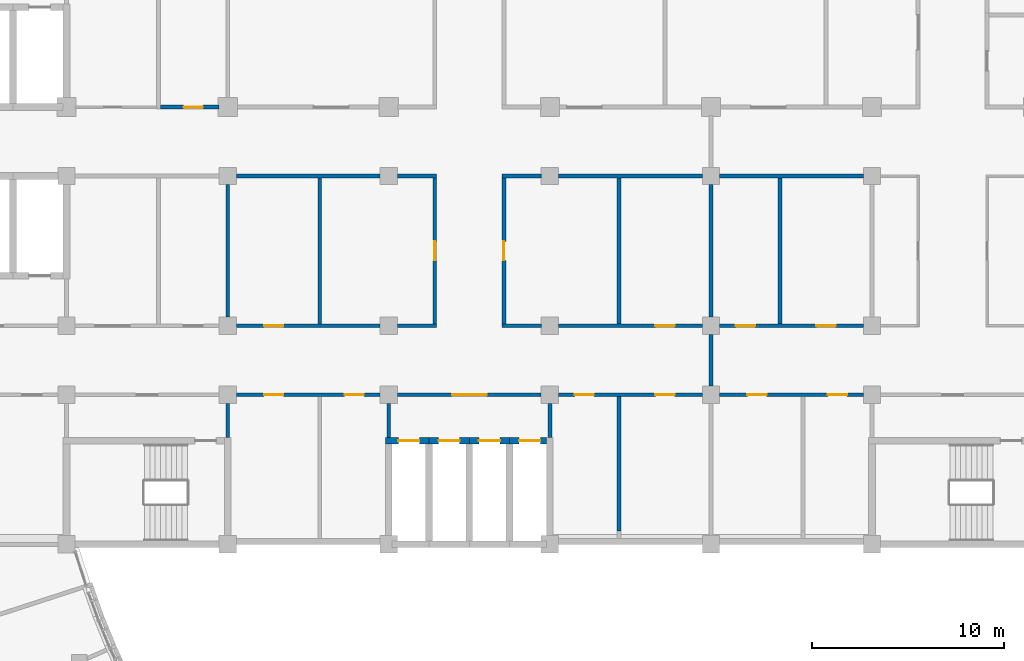
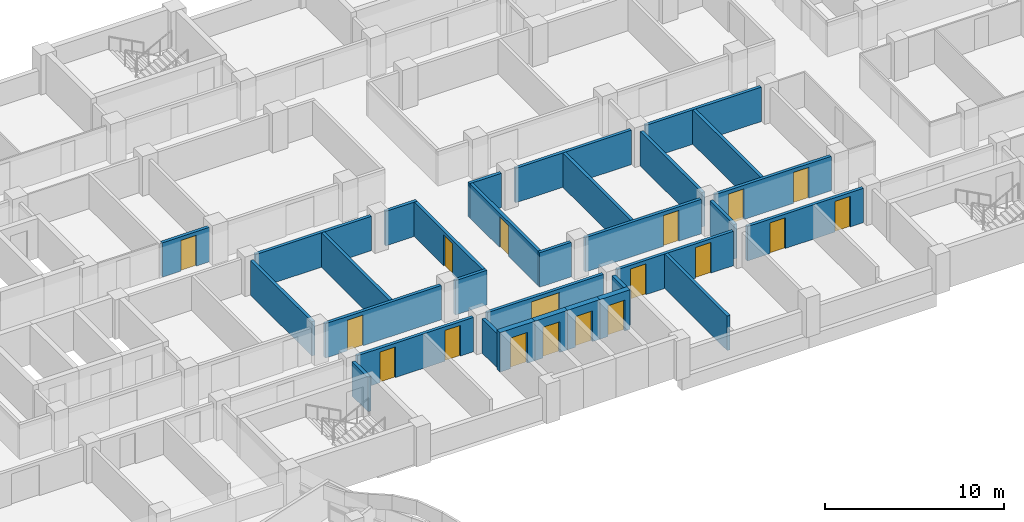
# One storey, part 48 of 89: 31 walls, 18 doors, 18 openings.
"""IFC4 building model written with IfcOpenShell, lengths in metres."""

from ifc_helpers import new_model, si_unit, direction, frame, frame_2d, origin, place, context, subcontext, project, spatial, rectangle, extrude, material, layer, layer_set, type_object, element, fill, save


model = new_model("IFC4")

# Units and contexts
model_context = context("Model", 3, precision=1e-05, world=origin(), true_north=direction((0.0, 1.0)))
body_context = subcontext(model_context, "Body", "Model", "MODEL_VIEW")
ifc_project = project(units=[si_unit("LENGTHUNIT", "METRE"), si_unit("AREAUNIT", "SQUARE_METRE"), si_unit("VOLUMEUNIT", "CUBIC_METRE"), si_unit("PLANEANGLEUNIT", "RADIAN"), si_unit("MASSUNIT", "GRAM", prefix="KILO")], contexts=[model_context])

# Site, building, storey
site_placement = place(None, origin())
site = spatial("IfcSite", under=ifc_project, at=site_placement, CompositionType="ELEMENT")
building_placement = place(site_placement, origin())
building = spatial("IfcBuilding", under=site, at=building_placement, Name="Bougainvillea Quay General Hospital", CompositionType="ELEMENT")
storey_placement = place(building_placement, frame((0.0, 0.0, 9.89990234375)))
storey = spatial("IfcBuildingStorey", under=building, at=storey_placement, Name="L01M", CompositionType="ELEMENT", Elevation=9.89990234375)

# Wall, openings, doors
ifc_material_1 = material(Name="Fire-rated autoclaved aerated block wall, plastered")
ifc_layer_1 = layer(ifc_material_1, 0.199951171875)
ifc_layer_set_1 = layer_set([ifc_layer_1], Name="Fire-rated autoclaved aerated block wall, plastered")
wall_type_1 = type_object("IfcWallType", Name="Partition 200 Fire-rated autoclaved aerated block wall EI 120", PredefinedType="SOLIDWALL", material=ifc_layer_set_1)
wall_1_placement = place(storey_placement, frame((117.14990234375, 125.39990234375, 0.0), z_axis=(0.0, 0.0, 1.0), x_axis=(-1.0, 0.0, 0.0)))
wall_1 = element("IfcWall", 1, at=wall_1_placement, inside=storey, type_object=wall_type_1, Name="Partition 200 mm EI 120", PredefinedType="SOLIDWALL", context=body_context, shape_type="SweptSolid", body=[
    extrude(rectangle(XDim=7.5, YDim=0.199951171875, at=frame_2d((3.75, 0.0))), origin(), (0.0, 0.0, 1.0), 2.35009765625),
])
opening_1_placement = place(wall_1_placement, frame((5.050048828125, 0.0, 0.0)))
opening_1 = element("IfcOpeningElement", 2, at=opening_1_placement, cuts=wall_1, Name="Opening L01M.096", PredefinedType="OPENING", context=body_context, shape_type="SweptSolid", body=[
    extrude(rectangle(XDim=1.0, YDim=2.10009765625, at=frame_2d((0.5, 1.050048828125))), frame((0.0, 0.10986328125, 0.0), z_axis=(0.0, -1.0, 0.0), x_axis=(1.0, 0.0, 0.0)), (0.0, 0.0, 1.0), 0.219970703125),
])
opening_2_placement = place(wall_1_placement, frame((0.85009765625, 0.0, 0.0)))
opening_2 = element("IfcOpeningElement", 3, at=opening_2_placement, cuts=wall_1, Name="Opening L01M.097", PredefinedType="OPENING", context=body_context, shape_type="SweptSolid", body=[
    extrude(rectangle(XDim=1.0, YDim=2.10009765625, at=frame_2d((0.5, 1.050048828125))), frame((0.0, 0.10986328125, 0.0), z_axis=(0.0, -1.0, 0.0), x_axis=(1.0, 0.0, 0.0)), (0.0, 0.0, 1.0), 0.219970703125),
])
ifc_material_2 = material(Name="Steel fire door leaf in steel frame", Category="steel")
door_type_1 = type_object("IfcDoorType", Name="Steel single leaf door 1000x2100 FD90", OperationType="NOTDEFINED", PredefinedType="DOOR", material=ifc_material_2)
door_1_placement = place(opening_1_placement, origin())
door_1 = element("IfcDoor", 4, at=door_1_placement, inside=storey, type_object=door_type_1, Name="DT11 L01M.096", OperationType="SINGLE_SWING_RIGHT", OverallHeight=2.10009765625, OverallWidth=1.0, PredefinedType="DOOR", context=body_context, shape_type="SweptSolid", body=[
    extrude(rectangle(XDim=1.0, YDim=2.10009765625, at=frame_2d((0.5, 1.050048828125))), frame((0.0, 0.02490234375, 0.0), z_axis=(0.0, -1.0, 0.0), x_axis=(1.0, 0.0, 0.0)), (0.0, 0.0, 1.0), 0.050048828125),
])
fill(opening_1, door_1)
door_2_placement = place(opening_2_placement, origin())
door_2 = element("IfcDoor", 5, at=door_2_placement, inside=storey, type_object=door_type_1, Name="DT11 L01M.097", OperationType="SINGLE_SWING_LEFT", OverallHeight=2.10009765625, OverallWidth=1.0, PredefinedType="DOOR", context=body_context, shape_type="SweptSolid", body=[
    extrude(rectangle(XDim=1.0, YDim=2.10009765625, at=frame_2d((0.5, 1.050048828125))), frame((0.0, 0.02490234375, 0.0), z_axis=(0.0, -1.0, 0.0), x_axis=(1.0, 0.0, 0.0)), (0.0, 0.0, 1.0), 0.050048828125),
])
fill(opening_2, door_2)

wall_2_placement = place(storey_placement, frame((108.75, 125.39990234375, 0.0), z_axis=(0.0, 0.0, 1.0), x_axis=(-1.0, 0.0, 0.0)))
wall_2 = element("IfcWall", 6, at=wall_2_placement, inside=storey, type_object=wall_type_1, Name="Partition 200 mm EI 120", PredefinedType="SOLIDWALL", context=body_context, shape_type="SweptSolid", body=[
    extrude(rectangle(XDim=7.5, YDim=0.199951171875, at=frame_2d((3.75, 0.0))), origin(), (0.0, 0.0, 1.0), 2.35009765625),
])
opening_3_placement = place(wall_2_placement, frame((5.64990234375, 0.0, 0.0)))
opening_3 = element("IfcOpeningElement", 7, at=opening_3_placement, cuts=wall_2, Name="Opening L01M.094", PredefinedType="OPENING", context=body_context, shape_type="SweptSolid", body=[
    extrude(rectangle(XDim=1.0, YDim=2.10009765625, at=frame_2d((0.5, 1.050048828125))), frame((0.0, 0.10986328125, 0.0), z_axis=(0.0, -1.0, 0.0), x_axis=(1.0, 0.0, 0.0)), (0.0, 0.0, 1.0), 0.219970703125),
])
opening_4_placement = place(wall_2_placement, frame((1.449951171875, 0.0, 0.0)))
opening_4 = element("IfcOpeningElement", 8, at=opening_4_placement, cuts=wall_2, Name="Opening L01M.095", PredefinedType="OPENING", context=body_context, shape_type="SweptSolid", body=[
    extrude(rectangle(XDim=1.0, YDim=2.10009765625, at=frame_2d((0.5, 1.050048828125))), frame((0.0, 0.10986328125, 0.0), z_axis=(0.0, -1.0, 0.0), x_axis=(1.0, 0.0, 0.0)), (0.0, 0.0, 1.0), 0.219970703125),
])
door_3_placement = place(opening_3_placement, origin())
door_3 = element("IfcDoor", 9, at=door_3_placement, inside=storey, type_object=door_type_1, Name="DT11 L01M.094", OperationType="SINGLE_SWING_RIGHT", OverallHeight=2.10009765625, OverallWidth=1.0, PredefinedType="DOOR", context=body_context, shape_type="SweptSolid", body=[
    extrude(rectangle(XDim=1.0, YDim=2.10009765625, at=frame_2d((0.5, 1.050048828125))), frame((0.0, 0.02490234375, 0.0), z_axis=(0.0, -1.0, 0.0), x_axis=(1.0, 0.0, 0.0)), (0.0, 0.0, 1.0), 0.050048828125),
])
fill(opening_3, door_3)
door_4_placement = place(opening_4_placement, origin())
door_4 = element("IfcDoor", 10, at=door_4_placement, inside=storey, type_object=door_type_1, Name="DT11 L01M.095", OperationType="SINGLE_SWING_LEFT", OverallHeight=2.10009765625, OverallWidth=1.0, PredefinedType="DOOR", context=body_context, shape_type="SweptSolid", body=[
    extrude(rectangle(XDim=1.0, YDim=2.10009765625, at=frame_2d((0.5, 1.050048828125))), frame((0.0, 0.02490234375, 0.0), z_axis=(0.0, -1.0, 0.0), x_axis=(1.0, 0.0, 0.0)), (0.0, 0.0, 1.0), 0.050048828125),
])
fill(opening_4, door_4)

# Wall, opening, door
wall_3_placement = place(storey_placement, frame((100.35009765625, 125.39990234375, 0.0), z_axis=(0.0, 0.0, 1.0), x_axis=(-1.0, 0.0, 0.0)))
wall_3 = element("IfcWall", 11, at=wall_3_placement, inside=storey, type_object=wall_type_1, Name="Partition 200 mm EI 120", PredefinedType="SOLIDWALL", context=body_context, shape_type="SweptSolid", body=[
    extrude(rectangle(XDim=7.5, YDim=0.199951171875, at=frame_2d((3.75, 0.0))), origin(), (0.0, 0.0, 1.0), 2.35009765625),
])
opening_5_placement = place(wall_3_placement, frame((2.85009765625, 0.0, 0.0)))
opening_5 = element("IfcOpeningElement", 12, at=opening_5_placement, cuts=wall_3, Name="Opening L01M.048", PredefinedType="OPENING", context=body_context, shape_type="SweptSolid", body=[
    extrude(rectangle(XDim=1.800048828125, YDim=2.10009765625, at=frame_2d((0.89990234375, 1.050048828125))), frame((0.0, 0.10986328125, 0.0), z_axis=(0.0, -1.0, 0.0), x_axis=(1.0, 0.0, 0.0)), (0.0, 0.0, 1.0), 0.219970703125),
])
ifc_material_3 = material(Name="Steel fire door leaves in steel frame", Category="steel")
door_type_2 = type_object("IfcDoorType", Name="Steel double leaf door 1800x2100 FD60", OperationType="DOUBLE_DOOR_SINGLE_SWING", PredefinedType="DOOR", material=ifc_material_3)
door_5_placement = place(opening_5_placement, origin())
door_5 = element("IfcDoor", 13, at=door_5_placement, inside=storey, type_object=door_type_2, Name="DT05 L01M.048", OperationType="DOUBLE_DOOR_SINGLE_SWING", OverallHeight=2.10009765625, OverallWidth=1.800048828125, PredefinedType="DOOR", context=body_context, shape_type="SweptSolid", body=[
    extrude(rectangle(XDim=1.800048828125, YDim=2.10009765625, at=frame_2d((0.89990234375, 1.050048828125))), frame((0.0, 0.02490234375, 0.0), z_axis=(0.0, -1.0, 0.0), x_axis=(1.0, 0.0, 0.0)), (0.0, 0.0, 1.0), 0.050048828125),
])
fill(opening_5, door_5)

# Wall, openings, doors
wall_4_placement = place(storey_placement, frame((91.949951171875, 125.39990234375, 0.0), z_axis=(0.0, 0.0, 1.0), x_axis=(-1.0, 0.0, 0.0)))
wall_4 = element("IfcWall", 14, at=wall_4_placement, inside=storey, type_object=wall_type_1, Name="Partition 200 mm EI 120", PredefinedType="SOLIDWALL", context=body_context, shape_type="SweptSolid", body=[
    extrude(rectangle(XDim=7.5, YDim=0.199951171875, at=frame_2d((3.75, 0.0))), origin(), (0.0, 0.0, 1.0), 2.35009765625),
])
opening_6_placement = place(wall_4_placement, frame((5.050048828125, 0.0, 0.0)))
opening_6 = element("IfcOpeningElement", 15, at=opening_6_placement, cuts=wall_4, Name="Opening L01M.092", PredefinedType="OPENING", context=body_context, shape_type="SweptSolid", body=[
    extrude(rectangle(XDim=1.0, YDim=2.10009765625, at=frame_2d((0.5, 1.050048828125))), frame((0.0, 0.10986328125, 0.0), z_axis=(0.0, -1.0, 0.0), x_axis=(1.0, 0.0, 0.0)), (0.0, 0.0, 1.0), 0.219970703125),
])
opening_7_placement = place(wall_4_placement, frame((0.85009765625, 0.0, 0.0)))
opening_7 = element("IfcOpeningElement", 16, at=opening_7_placement, cuts=wall_4, Name="Opening L01M.093", PredefinedType="OPENING", context=body_context, shape_type="SweptSolid", body=[
    extrude(rectangle(XDim=1.0, YDim=2.10009765625, at=frame_2d((0.5, 1.050048828125))), frame((0.0, 0.10986328125, 0.0), z_axis=(0.0, -1.0, 0.0), x_axis=(1.0, 0.0, 0.0)), (0.0, 0.0, 1.0), 0.219970703125),
])
door_6_placement = place(opening_6_placement, origin())
door_6 = element("IfcDoor", 17, at=door_6_placement, inside=storey, type_object=door_type_1, Name="DT11 L01M.092", OperationType="SINGLE_SWING_RIGHT", OverallHeight=2.10009765625, OverallWidth=1.0, PredefinedType="DOOR", context=body_context, shape_type="SweptSolid", body=[
    extrude(rectangle(XDim=1.0, YDim=2.10009765625, at=frame_2d((0.5, 1.050048828125))), frame((0.0, 0.02490234375, 0.0), z_axis=(0.0, -1.0, 0.0), x_axis=(1.0, 0.0, 0.0)), (0.0, 0.0, 1.0), 0.050048828125),
])
fill(opening_6, door_6)
door_7_placement = place(opening_7_placement, origin())
door_7 = element("IfcDoor", 18, at=door_7_placement, inside=storey, type_object=door_type_1, Name="DT11 L01M.093", OperationType="SINGLE_SWING_LEFT", OverallHeight=2.10009765625, OverallWidth=1.0, PredefinedType="DOOR", context=body_context, shape_type="SweptSolid", body=[
    extrude(rectangle(XDim=1.0, YDim=2.10009765625, at=frame_2d((0.5, 1.050048828125))), frame((0.0, 0.02490234375, 0.0), z_axis=(0.0, -1.0, 0.0), x_axis=(1.0, 0.0, 0.0)), (0.0, 0.0, 1.0), 0.050048828125),
])
fill(opening_7, door_7)

# Wall
wall_5_placement = place(storey_placement, frame((94.89990234375, 129.0, 0.0), z_axis=(0.0, 0.0, 1.0), x_axis=(-1.0, 0.0, 0.0)))
element("IfcWall", 19, at=wall_5_placement, inside=storey, type_object=wall_type_1, Name="Partition 200 mm EI 120", PredefinedType="SOLIDWALL", context=body_context, shape_type="SweptSolid", body=[
    extrude(rectangle(XDim=2.0498046875, YDim=0.199951171875, at=frame_2d((1.02490234375, 0.0))), origin(), (0.0, 0.0, 1.0), 2.35009765625),
])

# Wall, opening, door
wall_6_placement = place(storey_placement, frame((91.949951171875, 129.0, 0.0), z_axis=(0.0, 0.0, 1.0), x_axis=(-1.0, 0.0, 0.0)))
wall_6 = element("IfcWall", 20, at=wall_6_placement, inside=storey, type_object=wall_type_1, Name="Partition 200 mm EI 120", PredefinedType="SOLIDWALL", context=body_context, shape_type="SweptSolid", body=[
    extrude(rectangle(XDim=7.5, YDim=0.199951171875, at=frame_2d((3.75, 0.0))), origin(), (0.0, 0.0, 1.0), 2.35009765625),
])
opening_8_placement = place(wall_6_placement, frame((5.050048828125, 0.0, 0.0)))
opening_8 = element("IfcOpeningElement", 21, at=opening_8_placement, cuts=wall_6, Name="Opening L01M.098", PredefinedType="OPENING", context=body_context, shape_type="SweptSolid", body=[
    extrude(rectangle(XDim=1.0, YDim=2.10009765625, at=frame_2d((0.5, 1.050048828125))), frame((0.0, 0.10986328125, 0.0), z_axis=(0.0, -1.0, 0.0), x_axis=(1.0, 0.0, 0.0)), (0.0, 0.0, 1.0), 0.219970703125),
])
door_8_placement = place(opening_8_placement, frame((1.0, 0.0, 0.0), z_axis=(0.0, 0.0, 1.0), x_axis=(-1.0, 0.0, 0.0)))
door_8 = element("IfcDoor", 22, at=door_8_placement, inside=storey, type_object=door_type_1, Name="DT11 L01M.098", OperationType="SINGLE_SWING_LEFT", OverallHeight=2.10009765625, OverallWidth=1.0, PredefinedType="DOOR", context=body_context, shape_type="SweptSolid", body=[
    extrude(rectangle(XDim=1.0, YDim=2.10009765625, at=frame_2d((0.5, 1.050048828125))), frame((0.0, 0.02490234375, 0.0), z_axis=(0.0, -1.0, 0.0), x_axis=(1.0, 0.0, 0.0)), (0.0, 0.0, 1.0), 0.050048828125),
])
fill(opening_8, door_8)

# Walls
wall_7_placement = place(storey_placement, frame((109.199951171875, 136.35009765625, 0.0), z_axis=(0.0, 0.0, 1.0), x_axis=(0.0, -1.0, 0.0)))
element("IfcWall", 23, at=wall_7_placement, inside=storey, type_object=wall_type_1, Name="Partition 200 mm EI 120", PredefinedType="SOLIDWALL", context=body_context, shape_type="SweptSolid", body=[
    extrude(rectangle(XDim=6.900146484375, YDim=0.199951171875, at=frame_2d((3.4501953125, 0.0))), origin(), (0.0, 0.0, 1.0), 2.35009765625),
])
wall_8_placement = place(storey_placement, frame((109.199951171875, 128.550048828125, 0.0), z_axis=(0.0, 0.0, 1.0), x_axis=(0.0, -1.0, 0.0)))
element("IfcWall", 24, at=wall_8_placement, inside=storey, type_object=wall_type_1, Name="Partition 200 mm EI 120", PredefinedType="SOLIDWALL", context=body_context, shape_type="SweptSolid", body=[
    extrude(rectangle(XDim=2.699951171875, YDim=0.199951171875, at=frame_2d((1.35009765625, 0.0))), origin(), (0.0, 0.0, 1.0), 2.35009765625),
])
wall_9_placement = place(storey_placement, frame((94.89990234375, 136.800048828125, 0.0), z_axis=(0.0, 0.0, 1.0), x_axis=(-1.0, 0.0, 0.0)))
element("IfcWall", 25, at=wall_9_placement, inside=storey, type_object=wall_type_1, Name="Partition 200 mm EI 120", PredefinedType="SOLIDWALL", context=body_context, shape_type="SweptSolid", body=[
    extrude(rectangle(XDim=2.0498046875, YDim=0.199951171875, at=frame_2d((1.02490234375, 0.0))), origin(), (0.0, 0.0, 1.0), 2.35009765625),
])
wall_10_placement = place(storey_placement, frame((91.949951171875, 136.800048828125, 0.0), z_axis=(0.0, 0.0, 1.0), x_axis=(-1.0, 0.0, 0.0)))
element("IfcWall", 26, at=wall_10_placement, inside=storey, type_object=wall_type_1, Name="Partition 200 mm EI 120", PredefinedType="SOLIDWALL", context=body_context, shape_type="SweptSolid", body=[
    extrude(rectangle(XDim=7.5, YDim=0.199951171875, at=frame_2d((3.75, 0.0))), origin(), (0.0, 0.0, 1.0), 2.35009765625),
])

# Wall, openings, doors
wall_11_placement = place(storey_placement, frame((117.14990234375, 129.0, 0.0), z_axis=(0.0, 0.0, 1.0), x_axis=(-1.0, 0.0, 0.0)))
wall_11 = element("IfcWall", 27, at=wall_11_placement, inside=storey, type_object=wall_type_1, Name="Partition 200 mm EI 120", PredefinedType="SOLIDWALL", context=body_context, shape_type="SweptSolid", body=[
    extrude(rectangle(XDim=7.5, YDim=0.199951171875, at=frame_2d((3.75, 0.0))), origin(), (0.0, 0.0, 1.0), 2.35009765625),
])
opening_9_placement = place(wall_11_placement, frame((5.64990234375, 0.0, 0.0)))
opening_9 = element("IfcOpeningElement", 28, at=opening_9_placement, cuts=wall_11, Name="Opening L01M.102", PredefinedType="OPENING", context=body_context, shape_type="SweptSolid", body=[
    extrude(rectangle(XDim=1.0, YDim=2.10009765625, at=frame_2d((0.5, 1.050048828125))), frame((0.0, 0.10986328125, 0.0), z_axis=(0.0, -1.0, 0.0), x_axis=(1.0, 0.0, 0.0)), (0.0, 0.0, 1.0), 0.219970703125),
])
opening_10_placement = place(wall_11_placement, frame((1.449951171875, 0.0, 0.0)))
opening_10 = element("IfcOpeningElement", 29, at=opening_10_placement, cuts=wall_11, Name="Opening L01M.103", PredefinedType="OPENING", context=body_context, shape_type="SweptSolid", body=[
    extrude(rectangle(XDim=1.0, YDim=2.10009765625, at=frame_2d((0.5, 1.050048828125))), frame((0.0, 0.10986328125, 0.0), z_axis=(0.0, -1.0, 0.0), x_axis=(1.0, 0.0, 0.0)), (0.0, 0.0, 1.0), 0.219970703125),
])
door_9_placement = place(opening_9_placement, frame((1.0, 0.0, 0.0), z_axis=(0.0, 0.0, 1.0), x_axis=(-1.0, 0.0, 0.0)))
door_9 = element("IfcDoor", 30, at=door_9_placement, inside=storey, type_object=door_type_1, Name="DT11 L01M.102", OperationType="SINGLE_SWING_LEFT", OverallHeight=2.10009765625, OverallWidth=1.0, PredefinedType="DOOR", context=body_context, shape_type="SweptSolid", body=[
    extrude(rectangle(XDim=1.0, YDim=2.10009765625, at=frame_2d((0.5, 1.050048828125))), frame((0.0, 0.02490234375, 0.0), z_axis=(0.0, -1.0, 0.0), x_axis=(1.0, 0.0, 0.0)), (0.0, 0.0, 1.0), 0.050048828125),
])
fill(opening_9, door_9)
door_10_placement = place(opening_10_placement, frame((1.0, 0.0, 0.0), z_axis=(0.0, 0.0, 1.0), x_axis=(-1.0, 0.0, 0.0)))
door_10 = element("IfcDoor", 31, at=door_10_placement, inside=storey, type_object=door_type_1, Name="DT11 L01M.103", OperationType="SINGLE_SWING_RIGHT", OverallHeight=2.10009765625, OverallWidth=1.0, PredefinedType="DOOR", context=body_context, shape_type="SweptSolid", body=[
    extrude(rectangle(XDim=1.0, YDim=2.10009765625, at=frame_2d((0.5, 1.050048828125))), frame((0.0, 0.02490234375, 0.0), z_axis=(0.0, -1.0, 0.0), x_axis=(1.0, 0.0, 0.0)), (0.0, 0.0, 1.0), 0.050048828125),
])
fill(opening_10, door_10)

# Wall, opening, door
wall_12_placement = place(storey_placement, frame((108.75, 129.0, 0.0), z_axis=(0.0, 0.0, 1.0), x_axis=(-1.0, 0.0, 0.0)))
wall_12 = element("IfcWall", 32, at=wall_12_placement, inside=storey, type_object=wall_type_1, Name="Partition 200 mm EI 120", PredefinedType="SOLIDWALL", context=body_context, shape_type="SweptSolid", body=[
    extrude(rectangle(XDim=7.5, YDim=0.199951171875, at=frame_2d((3.75, 0.0))), origin(), (0.0, 0.0, 1.0), 2.35009765625),
])
opening_11_placement = place(wall_12_placement, frame((1.449951171875, 0.0, 0.0)))
opening_11 = element("IfcOpeningElement", 33, at=opening_11_placement, cuts=wall_12, Name="Opening L01M.101", PredefinedType="OPENING", context=body_context, shape_type="SweptSolid", body=[
    extrude(rectangle(XDim=1.0, YDim=2.10009765625, at=frame_2d((0.5, 1.050048828125))), frame((0.0, 0.10986328125, 0.0), z_axis=(0.0, -1.0, 0.0), x_axis=(1.0, 0.0, 0.0)), (0.0, 0.0, 1.0), 0.219970703125),
])
door_11_placement = place(opening_11_placement, frame((1.0, 0.0, 0.0), z_axis=(0.0, 0.0, 1.0), x_axis=(-1.0, 0.0, 0.0)))
door_11 = element("IfcDoor", 34, at=door_11_placement, inside=storey, type_object=door_type_1, Name="DT11 L01M.101", OperationType="SINGLE_SWING_RIGHT", OverallHeight=2.10009765625, OverallWidth=1.0, PredefinedType="DOOR", context=body_context, shape_type="SweptSolid", body=[
    extrude(rectangle(XDim=1.0, YDim=2.10009765625, at=frame_2d((0.5, 1.050048828125))), frame((0.0, 0.02490234375, 0.0), z_axis=(0.0, -1.0, 0.0), x_axis=(1.0, 0.0, 0.0)), (0.0, 0.0, 1.0), 0.050048828125),
])
fill(opening_11, door_11)

# Walls
wall_13_placement = place(storey_placement, frame((100.35009765625, 129.0, 0.0), z_axis=(0.0, 0.0, 1.0), x_axis=(-1.0, 0.0, 0.0)))
element("IfcWall", 35, at=wall_13_placement, inside=storey, type_object=wall_type_1, Name="Partition 200 mm EI 120", PredefinedType="SOLIDWALL", context=body_context, shape_type="SweptSolid", body=[
    extrude(rectangle(XDim=2.050048828125, YDim=0.199951171875, at=frame_2d((1.02490234375, 0.0))), origin(), (0.0, 0.0, 1.0), 2.35009765625),
])
for number, where, z_axis, x_axis, name in (
    (36, (117.14990234375, 136.800048828125, 0.0), (0.0, 0.0, 1.0), (-1.0, 0.0, 0.0), "Partition 200 mm EI 120"),
    (37, (108.75, 136.800048828125, 0.0), (0.0, 0.0, 1.0), (-1.0, 0.0, 0.0), "Partition 200 mm EI 120"),
):
    element("IfcWall", number, at=place(storey_placement, frame(where, z_axis=z_axis, x_axis=x_axis)), inside=storey, type_object=wall_type_1, Name=name, PredefinedType="SOLIDWALL", context=body_context, shape_type="SweptSolid", body=[
        extrude(rectangle(XDim=7.5, YDim=0.199951171875, at=frame_2d((3.75, 0.0))), origin(), (0.0, 0.0, 1.0), 2.35009765625),
    ])
wall_14_placement = place(storey_placement, frame((100.35009765625, 136.800048828125, 0.0), z_axis=(0.0, 0.0, 1.0), x_axis=(-1.0, 0.0, 0.0)))
element("IfcWall", 38, at=wall_14_placement, inside=storey, type_object=wall_type_1, Name="Partition 200 mm EI 120", PredefinedType="SOLIDWALL", context=body_context, shape_type="SweptSolid", body=[
    extrude(rectangle(XDim=2.050048828125, YDim=0.199951171875, at=frame_2d((1.02490234375, 0.0))), origin(), (0.0, 0.0, 1.0), 2.35009765625),
])
for number, where, z_axis, x_axis, name in (
    (39, (84.0, 123.175048828125, 0.0), (0.0, 0.0, 1.0), (0.0, 1.0, 0.0), "Partition 200 mm EI 120"),
    (40, (92.39990234375, 123.175048828125, 0.0), (0.0, 0.0, 1.0), (0.0, 1.0, 0.0), "Partition 200 mm EI 120"),
    (41, (100.800048828125, 123.175048828125, 0.0), (0.0, 0.0, 1.0), (0.0, 1.0, 0.0), "Partition 200 mm EI 120"),
):
    element("IfcWall", number, at=place(storey_placement, frame(where, z_axis=z_axis, x_axis=x_axis)), inside=storey, type_object=wall_type_1, Name=name, PredefinedType="SOLIDWALL", context=body_context, shape_type="SweptSolid", body=[
        extrude(rectangle(XDim=1.77490234375, YDim=0.199951171875, at=frame_2d((0.887451171875, 0.0))), origin(), (0.0, 0.0, 1.0), 2.35009765625),
    ])
wall_15_placement = place(storey_placement, frame((104.39990234375, 118.300048828125, 0.0), z_axis=(0.0, 0.0, 1.0), x_axis=(0.0, 1.0, 0.0)))
element("IfcWall", 42, at=wall_15_placement, inside=storey, type_object=wall_type_1, Name="Partition 200 mm EI 120", PredefinedType="SOLIDWALL", context=body_context, shape_type="SweptSolid", body=[
    extrude(rectangle(XDim=7.0, YDim=0.199951171875, at=frame_2d((3.5, 0.0))), origin(), (0.0, 0.0, 1.0), 2.35009765625),
])
wall_16_placement = place(storey_placement, frame((84.0, 129.449951171875, 0.0), z_axis=(0.0, 0.0, 1.0), x_axis=(0.0, 1.0, 0.0)))
element("IfcWall", 43, at=wall_16_placement, inside=storey, type_object=wall_type_1, Name="Partition 200 mm EI 120", PredefinedType="SOLIDWALL", context=body_context, shape_type="SweptSolid", body=[
    extrude(rectangle(XDim=6.900146484375, YDim=0.199951171875, at=frame_2d((3.4501953125, 0.0))), origin(), (0.0, 0.0, 1.0), 2.35009765625),
])
wall_17_placement = place(storey_placement, frame((88.800048828125, 129.10009765625, 0.0), z_axis=(0.0, 0.0, 1.0), x_axis=(0.0, 1.0, 0.0)))
element("IfcWall", 44, at=wall_17_placement, inside=storey, type_object=wall_type_1, Name="Partition 200 mm EI 120", PredefinedType="SOLIDWALL", context=body_context, shape_type="SweptSolid", body=[
    extrude(rectangle(XDim=7.599853515625, YDim=0.199951171875, at=frame_2d((3.7998046875, 0.0))), origin(), (0.0, 0.0, 1.0), 2.35009765625),
])

# Wall, opening, door
wall_18_placement = place(storey_placement, frame((94.800048828125, 129.10009765625, 0.0), z_axis=(0.0, 0.0, 1.0), x_axis=(0.0, 1.0, 0.0)))
wall_18 = element("IfcWall", 45, at=wall_18_placement, inside=storey, type_object=wall_type_1, Name="Partition 200 mm EI 120", PredefinedType="SOLIDWALL", context=body_context, shape_type="SweptSolid", body=[
    extrude(rectangle(XDim=7.599853515625, YDim=0.199951171875, at=frame_2d((3.7998046875, 0.0))), origin(), (0.0, 0.0, 1.0), 2.35009765625),
])
opening_12_placement = place(wall_18_placement, frame((3.300048828125, 0.0, 0.0)))
opening_12 = element("IfcOpeningElement", 46, at=opening_12_placement, cuts=wall_18, Name="Opening L01M.099", PredefinedType="OPENING", context=body_context, shape_type="SweptSolid", body=[
    extrude(rectangle(XDim=1.0, YDim=2.10009765625, at=frame_2d((0.5, 1.050048828125))), frame((0.0, 0.10986328125, 0.0), z_axis=(0.0, -1.0, 0.0), x_axis=(1.0, 0.0, 0.0)), (0.0, 0.0, 1.0), 0.219970703125),
])
door_12_placement = place(opening_12_placement, origin())
door_12 = element("IfcDoor", 47, at=door_12_placement, inside=storey, type_object=door_type_1, Name="DT11 L01M.099", OperationType="SINGLE_SWING_LEFT", OverallHeight=2.10009765625, OverallWidth=1.0, PredefinedType="DOOR", context=body_context, shape_type="SweptSolid", body=[
    extrude(rectangle(XDim=1.0, YDim=2.10009765625, at=frame_2d((0.5, 1.050048828125))), frame((0.0, 0.02490234375, 0.0), z_axis=(0.0, -1.0, 0.0), x_axis=(1.0, 0.0, 0.0)), (0.0, 0.0, 1.0), 0.050048828125),
])
fill(opening_12, door_12)

wall_19_placement = place(storey_placement, frame((98.39990234375, 129.10009765625, 0.0), z_axis=(0.0, 0.0, 1.0), x_axis=(0.0, 1.0, 0.0)))
wall_19 = element("IfcWall", 48, at=wall_19_placement, inside=storey, type_object=wall_type_1, Name="Partition 200 mm EI 120", PredefinedType="SOLIDWALL", context=body_context, shape_type="SweptSolid", body=[
    extrude(rectangle(XDim=7.599853515625, YDim=0.199951171875, at=frame_2d((3.7998046875, 0.0))), origin(), (0.0, 0.0, 1.0), 2.35009765625),
])
opening_13_placement = place(wall_19_placement, frame((3.300048828125, 0.0, 0.0)))
opening_13 = element("IfcOpeningElement", 49, at=opening_13_placement, cuts=wall_19, Name="Opening L01M.100", PredefinedType="OPENING", context=body_context, shape_type="SweptSolid", body=[
    extrude(rectangle(XDim=1.0, YDim=2.10009765625, at=frame_2d((0.5, 1.050048828125))), frame((0.0, 0.10986328125, 0.0), z_axis=(0.0, -1.0, 0.0), x_axis=(1.0, 0.0, 0.0)), (0.0, 0.0, 1.0), 0.219970703125),
])
door_13_placement = place(opening_13_placement, frame((1.0, 0.0, 0.0), z_axis=(0.0, 0.0, 1.0), x_axis=(-1.0, 0.0, 0.0)))
door_13 = element("IfcDoor", 50, at=door_13_placement, inside=storey, type_object=door_type_1, Name="DT11 L01M.100", OperationType="SINGLE_SWING_RIGHT", OverallHeight=2.10009765625, OverallWidth=1.0, PredefinedType="DOOR", context=body_context, shape_type="SweptSolid", body=[
    extrude(rectangle(XDim=1.0, YDim=2.10009765625, at=frame_2d((0.5, 1.050048828125))), frame((0.0, 0.02490234375, 0.0), z_axis=(0.0, -1.0, 0.0), x_axis=(1.0, 0.0, 0.0)), (0.0, 0.0, 1.0), 0.050048828125),
])
fill(opening_13, door_13)

# Walls
for number, where, z_axis, x_axis, name in (
    (51, (104.39990234375, 129.10009765625, 0.0), (0.0, 0.0, 1.0), (0.0, 1.0, 0.0), "Partition 200 mm EI 120"),
    (52, (112.800048828125, 129.10009765625, 0.0), (0.0, 0.0, 1.0), (0.0, 1.0, 0.0), "Partition 200 mm EI 120"),
):
    element("IfcWall", number, at=place(storey_placement, frame(where, z_axis=z_axis, x_axis=x_axis)), inside=storey, type_object=wall_type_1, Name=name, PredefinedType="SOLIDWALL", context=body_context, shape_type="SweptSolid", body=[
        extrude(rectangle(XDim=7.599853515625, YDim=0.199951171875, at=frame_2d((3.7998046875, 0.0))), origin(), (0.0, 0.0, 1.0), 2.35009765625),
    ])

# Wall, opening, door
ifc_layer_2 = layer(ifc_material_1, 0.199951171875)
ifc_layer_set_2 = layer_set([ifc_layer_2], Name="Fire-rated autoclaved aerated block wall, plastered")
wall_type_2 = type_object("IfcWallType", Name="Partition 200 Fire-rated autoclaved aerated block wall EI 60", PredefinedType="SOLIDWALL", material=ifc_layer_set_2)
wall_20_placement = place(storey_placement, frame((80.5, 140.39990234375, 0.0), z_axis=(0.0, 0.0, 1.0), x_axis=(1.0, 0.0, 0.0)))
wall_20 = element("IfcWall", 53, at=wall_20_placement, inside=storey, type_object=wall_type_2, Name="Partition 200 mm EI 60", PredefinedType="SOLIDWALL", context=body_context, shape_type="SweptSolid", body=[
    extrude(rectangle(XDim=3.050048828125, YDim=0.199951171875, at=frame_2d((1.52490234375, 0.0))), origin(), (0.0, 0.0, 1.0), 2.35009765625),
])
opening_14_placement = place(wall_20_placement, frame((1.199951171875, 0.0, 0.0)))
opening_14 = element("IfcOpeningElement", 54, at=opening_14_placement, cuts=wall_20, Name="Opening L01M.138", PredefinedType="OPENING", context=body_context, shape_type="SweptSolid", body=[
    extrude(rectangle(XDim=1.0, YDim=2.10009765625, at=frame_2d((0.5, 1.050048828125))), frame((0.0, 0.10986328125, 0.0), z_axis=(0.0, -1.0, 0.0), x_axis=(1.0, 0.0, 0.0)), (0.0, 0.0, 1.0), 0.219970703125),
])
door_type_3 = type_object("IfcDoorType", Name="Steel single leaf door 1000x2100 FD60", OperationType="NOTDEFINED", PredefinedType="DOOR", material=ifc_material_2)
door_14_placement = place(opening_14_placement, origin())
door_14 = element("IfcDoor", 55, at=door_14_placement, inside=storey, type_object=door_type_3, Name="DT10 L01M.138", OperationType="SINGLE_SWING_RIGHT", OverallHeight=2.10009765625, OverallWidth=1.0, PredefinedType="DOOR", context=body_context, shape_type="SweptSolid", body=[
    extrude(rectangle(XDim=1.0, YDim=2.10009765625, at=frame_2d((0.5, 1.050048828125))), frame((0.0, 0.02490234375, 0.0), z_axis=(0.0, -1.0, 0.0), x_axis=(1.0, 0.0, 0.0)), (0.0, 0.0, 1.0), 0.050048828125),
])
fill(opening_14, door_14)

ifc_material_4 = material(Name="Concrete C40", Category="concrete")
ifc_layer_3 = layer(ifc_material_4, 0.35009765625)
ifc_layer_set_3 = layer_set([ifc_layer_3], Name="Concrete C40")
wall_type_3 = type_object("IfcWallType", Name="RC SHEAR WALL 350 C40", PredefinedType="SHEAR", material=ifc_layer_set_3)
wall_21_placement = place(storey_placement, frame((92.22509765625, 123.0, 0.0), z_axis=(0.0, 0.0, 1.0), x_axis=(1.0, 0.0, 0.0)))
wall_21 = element("IfcWall", 56, at=wall_21_placement, inside=storey, type_object=wall_type_3, Name="Shear wall L01M", PredefinedType="SHEAR", context=body_context, shape_type="SweptSolid", body=[
    extrude(rectangle(XDim=2.27490234375, YDim=0.35009765625, at=frame_2d((1.137451171875, 0.0))), origin(), (0.0, 0.0, 1.0), 2.7001953125),
])
opening_15_placement = place(wall_21_placement, frame((0.675048828125, 0.0, 0.0)))
opening_15 = element("IfcOpeningElement", 57, at=opening_15_placement, cuts=wall_21, Name="Opening LD-P1.1-L01M", PredefinedType="OPENING", context=body_context, shape_type="SweptSolid", body=[
    extrude(rectangle(XDim=1.10009765625, YDim=2.10009765625, at=frame_2d((0.550048828125, 1.050048828125))), frame((0.0, 0.18505859375, 0.0), z_axis=(0.0, -1.0, 0.0), x_axis=(1.0, 0.0, 0.0)), (0.0, 0.0, 1.0), 0.3701171875),
])
ifc_material_5 = material(Name="Stainless steel centre-opening landing door", Category="steel")
door_type_4 = type_object("IfcDoorType", Name="Lift landing door 1100x2100 E 120", OperationType="DOUBLE_DOOR_SLIDING", PredefinedType="DOOR", material=ifc_material_5)
door_15_placement = place(opening_15_placement, origin())
door_15 = element("IfcDoor", 58, at=door_15_placement, inside=storey, type_object=door_type_4, Name="Lift landing door LB-P1-1 L01M", OperationType="DOUBLE_DOOR_SLIDING", OverallHeight=2.10009765625, OverallWidth=1.10009765625, PredefinedType="DOOR", context=body_context, shape_type="SweptSolid", body=[
    extrude(rectangle(XDim=1.10009765625, YDim=2.10009765625, at=frame_2d((0.550048828125, 1.050048828125))), frame((0.0, 0.02490234375, 0.0), z_axis=(0.0, -1.0, 0.0), x_axis=(1.0, 0.0, 0.0)), (0.0, 0.0, 1.0), 0.050048828125),
])
fill(opening_15, door_15)

wall_22_placement = place(storey_placement, frame((94.5, 123.0, 0.0), z_axis=(0.0, 0.0, 1.0), x_axis=(1.0, 0.0, 0.0)))
wall_22 = element("IfcWall", 59, at=wall_22_placement, inside=storey, type_object=wall_type_3, Name="Shear wall L01M", PredefinedType="SHEAR", context=body_context, shape_type="SweptSolid", body=[
    extrude(rectangle(XDim=2.10009765625, YDim=0.35009765625, at=frame_2d((1.050048828125, 0.0))), origin(), (0.0, 0.0, 1.0), 2.7001953125),
])
opening_16_placement = place(wall_22_placement, frame((0.5, 0.0, 0.0)))
opening_16 = element("IfcOpeningElement", 60, at=opening_16_placement, cuts=wall_22, Name="Opening LD-P1.2-L01M", PredefinedType="OPENING", context=body_context, shape_type="SweptSolid", body=[
    extrude(rectangle(XDim=1.10009765625, YDim=2.10009765625, at=frame_2d((0.550048828125, 1.050048828125))), frame((0.0, 0.18505859375, 0.0), z_axis=(0.0, -1.0, 0.0), x_axis=(1.0, 0.0, 0.0)), (0.0, 0.0, 1.0), 0.3701171875),
])
door_16_placement = place(opening_16_placement, origin())
door_16 = element("IfcDoor", 61, at=door_16_placement, inside=storey, type_object=door_type_4, Name="Lift landing door LB-P1-2 L01M", OperationType="DOUBLE_DOOR_SLIDING", OverallHeight=2.10009765625, OverallWidth=1.10009765625, PredefinedType="DOOR", context=body_context, shape_type="SweptSolid", body=[
    extrude(rectangle(XDim=1.10009765625, YDim=2.10009765625, at=frame_2d((0.550048828125, 1.050048828125))), frame((0.0, 0.02490234375, 0.0), z_axis=(0.0, -1.0, 0.0), x_axis=(1.0, 0.0, 0.0)), (0.0, 0.0, 1.0), 0.050048828125),
])
fill(opening_16, door_16)

wall_23_placement = place(storey_placement, frame((96.60009765625, 123.0, 0.0), z_axis=(0.0, 0.0, 1.0), x_axis=(1.0, 0.0, 0.0)))
wall_23 = element("IfcWall", 62, at=wall_23_placement, inside=storey, type_object=wall_type_3, Name="Shear wall L01M", PredefinedType="SHEAR", context=body_context, shape_type="SweptSolid", body=[
    extrude(rectangle(XDim=2.099853515625, YDim=0.35009765625, at=frame_2d((1.0498046875, 0.0))), origin(), (0.0, 0.0, 1.0), 2.7001953125),
])
opening_17_placement = place(wall_23_placement, frame((0.5, 0.0, 0.0)))
opening_17 = element("IfcOpeningElement", 63, at=opening_17_placement, cuts=wall_23, Name="Opening LD-P1.3-L01M", PredefinedType="OPENING", context=body_context, shape_type="SweptSolid", body=[
    extrude(rectangle(XDim=1.10009765625, YDim=2.10009765625, at=frame_2d((0.550048828125, 1.050048828125))), frame((0.0, 0.18505859375, 0.0), z_axis=(0.0, -1.0, 0.0), x_axis=(1.0, 0.0, 0.0)), (0.0, 0.0, 1.0), 0.3701171875),
])
door_17_placement = place(opening_17_placement, origin())
door_17 = element("IfcDoor", 64, at=door_17_placement, inside=storey, type_object=door_type_4, Name="Lift landing door LB-P1-3 L01M", OperationType="DOUBLE_DOOR_SLIDING", OverallHeight=2.10009765625, OverallWidth=1.10009765625, PredefinedType="DOOR", context=body_context, shape_type="SweptSolid", body=[
    extrude(rectangle(XDim=1.10009765625, YDim=2.10009765625, at=frame_2d((0.550048828125, 1.050048828125))), frame((0.0, 0.02490234375, 0.0), z_axis=(0.0, -1.0, 0.0), x_axis=(1.0, 0.0, 0.0)), (0.0, 0.0, 1.0), 0.050048828125),
])
fill(opening_17, door_17)

wall_24_placement = place(storey_placement, frame((98.699951171875, 123.0, 0.0), z_axis=(0.0, 0.0, 1.0), x_axis=(1.0, 0.0, 0.0)))
wall_24 = element("IfcWall", 65, at=wall_24_placement, inside=storey, type_object=wall_type_3, Name="Shear wall L01M", PredefinedType="SHEAR", context=body_context, shape_type="SweptSolid", body=[
    extrude(rectangle(XDim=1.925048828125, YDim=0.35009765625, at=frame_2d((0.96240234375, 0.0))), origin(), (0.0, 0.0, 1.0), 2.7001953125),
])
opening_18_placement = place(wall_24_placement, frame((0.5, 0.0, 0.0)))
opening_18 = element("IfcOpeningElement", 66, at=opening_18_placement, cuts=wall_24, Name="Opening LD-P1.4-L01M", PredefinedType="OPENING", context=body_context, shape_type="SweptSolid", body=[
    extrude(rectangle(XDim=1.10009765625, YDim=2.10009765625, at=frame_2d((0.550048828125, 1.050048828125))), frame((0.0, 0.18505859375, 0.0), z_axis=(0.0, -1.0, 0.0), x_axis=(1.0, 0.0, 0.0)), (0.0, 0.0, 1.0), 0.3701171875),
])
door_18_placement = place(opening_18_placement, origin())
door_18 = element("IfcDoor", 67, at=door_18_placement, inside=storey, type_object=door_type_4, Name="Lift landing door LB-P1-4 L01M", OperationType="DOUBLE_DOOR_SLIDING", OverallHeight=2.10009765625, OverallWidth=1.10009765625, PredefinedType="DOOR", context=body_context, shape_type="SweptSolid", body=[
    extrude(rectangle(XDim=1.10009765625, YDim=2.10009765625, at=frame_2d((0.550048828125, 1.050048828125))), frame((0.0, 0.02490234375, 0.0), z_axis=(0.0, -1.0, 0.0), x_axis=(1.0, 0.0, 0.0)), (0.0, 0.0, 1.0), 0.050048828125),
])
fill(opening_18, door_18)

save(model, "model.ifc")
